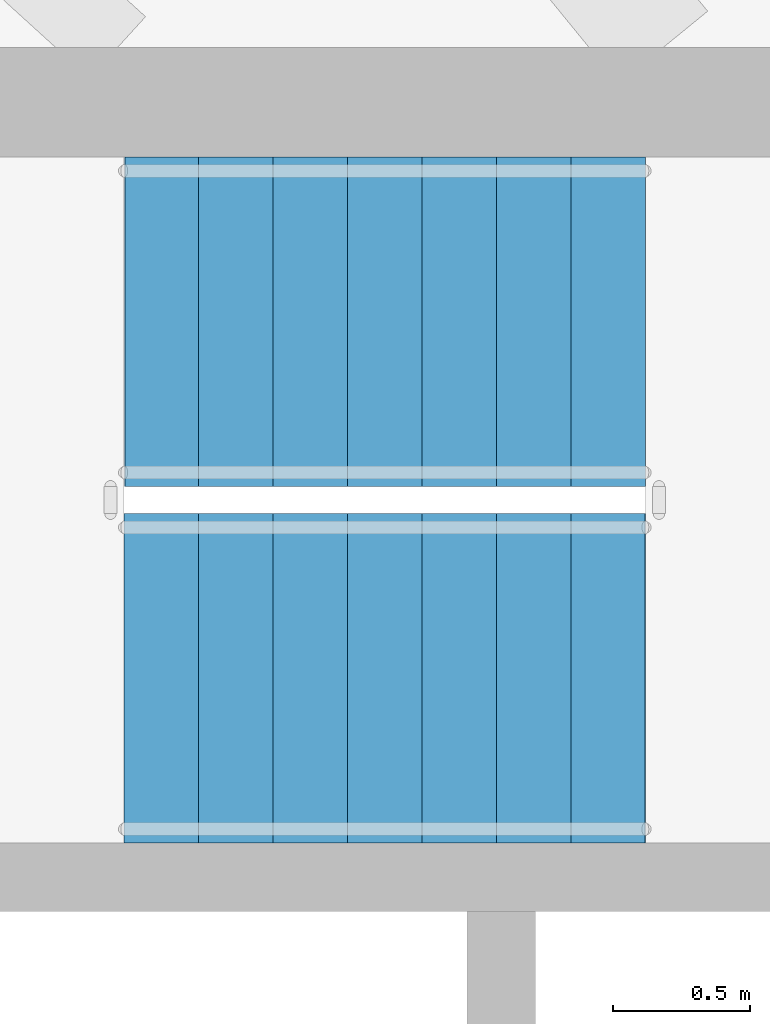
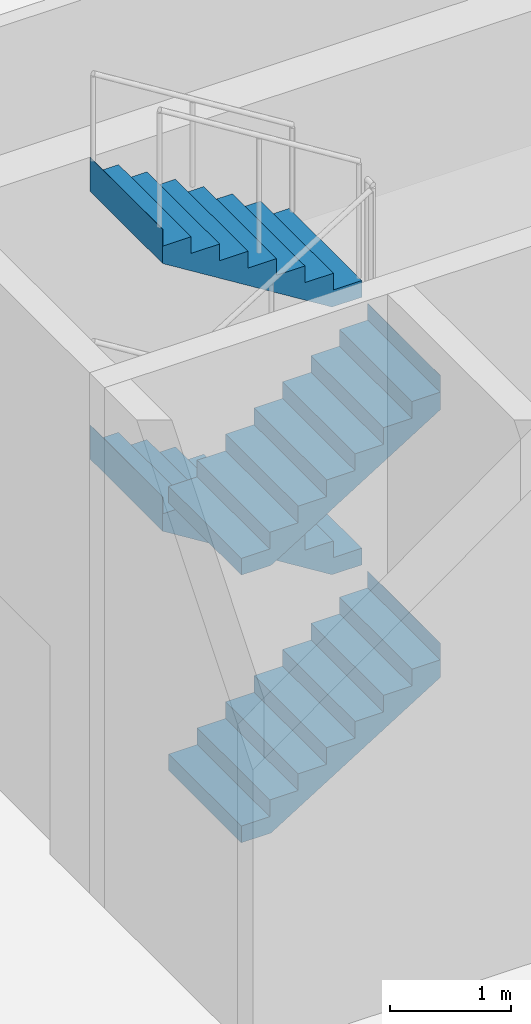
# One storey, part 8 of 16: 4 stair flights, 1 element without a shape of its own.
"""IFC4 building model written with IfcOpenShell, lengths in metres."""

from ifc_helpers import new_model, si_unit, direction, frame, origin, place, context, subcontext, project, spatial, triangles, material, type_object, element, aggregate, save


model = new_model("IFC4")

# Units and contexts
model_context = context("Model", 3, precision=1e-05, world=origin(), true_north=direction((0.0, 1.0)))
body_context = subcontext(model_context, "Body", "Model", "MODEL_VIEW")
ifc_project = project(units=[si_unit("LENGTHUNIT", "METRE"), si_unit("AREAUNIT", "SQUARE_METRE"), si_unit("VOLUMEUNIT", "CUBIC_METRE"), si_unit("PLANEANGLEUNIT", "RADIAN"), si_unit("MASSUNIT", "GRAM", prefix="KILO")], contexts=[model_context])

# Site, building, storey
site_placement = place(None, origin())
site = spatial("IfcSite", under=ifc_project, at=site_placement, CompositionType="ELEMENT")
building_placement = place(site_placement, origin())
building = spatial("IfcBuilding", under=site, at=building_placement, Name="Sahrelin Media Tower", CompositionType="ELEMENT")
storey_placement = place(building_placement, frame((0.0, 0.0, 299.0)))
storey = spatial("IfcBuildingStorey", under=building, at=storey_placement, Name="L66", CompositionType="ELEMENT", Elevation=299.0)

# Stair, stair flights
ifc_material = material(Name="Concrete C40/50", Category="concrete")
stair_type = type_object("IfcStairType", Name="Exit stair 1200", PredefinedType="HALF_TURN_STAIR", material=ifc_material)
stair_placement = place(storey_placement, origin())
stair = element("IfcStair", 1, at=stair_placement, inside=storey, type_object=stair_type, Name="L66 Exit stair ST1", PredefinedType="HALF_TURN_STAIR")
stair_flight_type = type_object("IfcStairFlightType", Name="Stair flight 1200", PredefinedType="STRAIGHT", material=ifc_material)
stair_flight_1_placement = place(storey_placement, frame((-7.675048828125, 4.699951171875, 0.0), z_axis=(0.0, 0.0, 1.0), x_axis=(1.0, 0.0, 0.0)))
stair_flight_1 = element("IfcStairFlight", 2, at=stair_flight_1_placement, type_object=stair_flight_type, Name="ST1 flight 1", NumberOfRisers=8, NumberOfTreads=7, PredefinedType="STRAIGHT", RiserHeight=0.16875, TreadLength=0.271428571, context=body_context, shape_type="Tessellation", body=[
    triangles([(0.283935546875, 0.60009765625, 0.0), (0.283935546875, 0.300048828125, 0.0), (0.283935546875, 0.0, 0.0), (0.283935546875, -0.300048828125, 0.0), (0.283935546875, -0.60009765625, 0.0), (1.89990234375, 0.60009765625, 1.004638671875), (1.89990234375, 0.300048828125, 1.004638671875), (1.89990234375, 0.0, 1.004638671875), (1.89990234375, -0.300048828125, 1.004638671875), (1.89990234375, -0.60009765625, 1.004638671875), (1.89990234375, 0.60009765625, 1.35009765625), (1.89990234375, 0.300048828125, 1.35009765625), (1.89990234375, 0.0, 1.35009765625), (1.89990234375, -0.300048828125, 1.35009765625), (1.89990234375, -0.60009765625, 1.35009765625), (1.89794921875, 0.60009765625, 1.35009765625), (1.89794921875, 0.300048828125, 1.35009765625), (1.89794921875, 0.0, 1.35009765625), (1.89794921875, -0.300048828125, 1.35009765625), (1.89794921875, -0.60009765625, 1.35009765625), (1.89794921875, 0.60009765625, 1.18115234375), (1.89794921875, 0.300048828125, 1.18115234375), (1.89794921875, 0.0, 1.18115234375), (1.89794921875, -0.300048828125, 1.18115234375), (1.89794921875, -0.60009765625, 1.18115234375), (1.628662109375, 0.60009765625, 1.18115234375), (1.628662109375, 0.300048828125, 1.18115234375), (1.628662109375, 0.0, 1.18115234375), (1.628662109375, -0.300048828125, 1.18115234375), (1.628662109375, -0.60009765625, 1.18115234375), (1.628662109375, 0.60009765625, 1.012451171875), (1.628662109375, 0.300048828125, 1.012451171875), (1.628662109375, 0.0, 1.012451171875), (1.628662109375, -0.300048828125, 1.012451171875), (1.628662109375, -0.60009765625, 1.012451171875), (1.357177734375, 0.60009765625, 1.012451171875), (1.357177734375, 0.300048828125, 1.012451171875), (1.357177734375, 0.0, 1.012451171875), (1.357177734375, -0.300048828125, 1.012451171875), (1.357177734375, -0.60009765625, 1.012451171875), (1.357177734375, 0.60009765625, 0.84375), (1.357177734375, 0.300048828125, 0.84375), (1.357177734375, 0.0, 0.84375), (1.357177734375, -0.300048828125, 0.84375), (1.357177734375, -0.60009765625, 0.84375), (1.085693359375, 0.60009765625, 0.84375), (1.085693359375, 0.300048828125, 0.84375), (1.085693359375, 0.0, 0.84375), (1.085693359375, -0.300048828125, 0.84375), (1.085693359375, -0.60009765625, 0.84375), (1.085693359375, 0.60009765625, 0.675048828125), (1.085693359375, 0.300048828125, 0.675048828125), (1.085693359375, 0.0, 0.675048828125), (1.085693359375, -0.300048828125, 0.675048828125), (1.085693359375, -0.60009765625, 0.675048828125), (0.814208984375, 0.60009765625, 0.675048828125), (0.814208984375, 0.300048828125, 0.675048828125), (0.814208984375, 0.0, 0.675048828125), (0.814208984375, -0.300048828125, 0.675048828125), (0.814208984375, -0.60009765625, 0.675048828125), (0.814208984375, 0.60009765625, 0.50634765625), (0.814208984375, 0.300048828125, 0.50634765625), (0.814208984375, 0.0, 0.50634765625), (0.814208984375, -0.300048828125, 0.50634765625), (0.814208984375, -0.60009765625, 0.50634765625), (0.54296875, 0.60009765625, 0.50634765625), (0.54296875, 0.300048828125, 0.50634765625), (0.54296875, 0.0, 0.50634765625), (0.54296875, -0.300048828125, 0.50634765625), (0.54296875, -0.60009765625, 0.50634765625), (0.54296875, 0.60009765625, 0.33740234375), (0.54296875, 0.300048828125, 0.33740234375), (0.54296875, 0.0, 0.33740234375), (0.54296875, -0.300048828125, 0.33740234375), (0.54296875, -0.60009765625, 0.33740234375), (0.271484375, 0.60009765625, 0.33740234375), (0.271484375, 0.300048828125, 0.33740234375), (0.271484375, 0.0, 0.33740234375), (0.271484375, -0.300048828125, 0.33740234375), (0.271484375, -0.60009765625, 0.33740234375), (0.271484375, 0.60009765625, 0.168701171875), (0.271484375, 0.300048828125, 0.168701171875), (0.271484375, 0.0, 0.168701171875), (0.271484375, -0.300048828125, 0.168701171875), (0.271484375, -0.60009765625, 0.168701171875), (0.0, 0.60009765625, 0.168701171875), (0.0, 0.300048828125, 0.168701171875), (0.0, 0.0, 0.168701171875), (0.0, -0.300048828125, 0.168701171875), (0.0, -0.60009765625, 0.168701171875), (0.0, 0.60009765625, 0.0), (0.0, 0.300048828125, 0.0), (0.0, 0.0, 0.0), (0.0, -0.300048828125, 0.0), (0.0, -0.60009765625, 0.0)], [[1, 6, 7], [1, 7, 2], [2, 7, 8], [2, 8, 3], [3, 8, 9], [3, 9, 4], [4, 9, 10], [4, 10, 5], [6, 11, 12], [6, 12, 7], [7, 12, 13], [7, 13, 8], [8, 13, 14], [8, 14, 9], [9, 14, 15], [9, 15, 10], [11, 16, 17], [11, 17, 12], [12, 17, 18], [12, 18, 13], [13, 18, 19], [13, 19, 14], [14, 19, 20], [14, 20, 15], [16, 21, 22], [16, 22, 17], [17, 22, 23], [17, 23, 18], [18, 23, 24], [18, 24, 19], [19, 24, 25], [19, 25, 20], [21, 26, 27], [21, 27, 22], [22, 27, 28], [22, 28, 23], [23, 28, 29], [23, 29, 24], [24, 29, 30], [24, 30, 25], [26, 31, 32], [26, 32, 27], [27, 32, 33], [27, 33, 28], [28, 33, 34], [28, 34, 29], [29, 34, 35], [29, 35, 30], [31, 36, 37], [31, 37, 32], [32, 37, 38], [32, 38, 33], [33, 38, 39], [33, 39, 34], [34, 39, 40], [34, 40, 35], [36, 41, 42], [36, 42, 37], [37, 42, 43], [37, 43, 38], [38, 43, 44], [38, 44, 39], [39, 44, 45], [39, 45, 40], [41, 46, 47], [41, 47, 42], [42, 47, 48], [42, 48, 43], [43, 48, 49], [43, 49, 44], [44, 49, 50], [44, 50, 45], [46, 51, 52], [46, 52, 47], [47, 52, 53], [47, 53, 48], [48, 53, 54], [48, 54, 49], [49, 54, 55], [49, 55, 50], [51, 56, 57], [51, 57, 52], [52, 57, 58], [52, 58, 53], [53, 58, 59], [53, 59, 54], [54, 59, 60], [54, 60, 55], [56, 61, 62], [56, 62, 57], [57, 62, 63], [57, 63, 58], [58, 63, 64], [58, 64, 59], [59, 64, 65], [59, 65, 60], [61, 66, 67], [61, 67, 62], [62, 67, 68], [62, 68, 63], [63, 68, 69], [63, 69, 64], [64, 69, 70], [64, 70, 65], [66, 71, 72], [66, 72, 67], [67, 72, 73], [67, 73, 68], [68, 73, 74], [68, 74, 69], [69, 74, 75], [69, 75, 70], [71, 76, 77], [71, 77, 72], [72, 77, 78], [72, 78, 73], [73, 78, 79], [73, 79, 74], [74, 79, 80], [74, 80, 75], [76, 81, 82], [76, 82, 77], [77, 82, 83], [77, 83, 78], [78, 83, 84], [78, 84, 79], [79, 84, 85], [79, 85, 80], [81, 86, 87], [81, 87, 82], [82, 87, 88], [82, 88, 83], [83, 88, 89], [83, 89, 84], [84, 89, 90], [84, 90, 85], [86, 91, 92], [86, 92, 87], [87, 92, 93], [87, 93, 88], [88, 93, 94], [88, 94, 89], [89, 94, 95], [89, 95, 90], [91, 1, 2], [91, 2, 92], [92, 2, 3], [92, 3, 93], [93, 3, 4], [93, 4, 94], [94, 4, 5], [94, 5, 95], [85, 90, 95], [81, 91, 86], [85, 75, 80], [81, 76, 71], [75, 65, 70], [71, 66, 61], [65, 55, 60], [61, 56, 51], [55, 45, 50], [51, 46, 41], [45, 35, 40], [41, 36, 31], [35, 25, 30], [31, 26, 21], [25, 15, 20], [21, 16, 11], [95, 5, 85], [91, 81, 1], [5, 55, 65], [1, 61, 51], [25, 10, 15], [21, 11, 6], [75, 85, 5], [71, 1, 81], [10, 45, 55], [6, 51, 41], [35, 10, 25], [31, 21, 6], [65, 75, 5], [61, 1, 71], [45, 10, 35], [41, 31, 6], [5, 10, 55], [1, 51, 6]], closed=True),
])
stair_flight_2_placement = place(storey_placement, frame((-5.77490234375, 6.0, 1.35009765625), z_axis=(0.0, 0.0, 1.0), x_axis=(-1.0, 0.0, 0.0)))
stair_flight_2 = element("IfcStairFlight", 3, at=stair_flight_2_placement, type_object=stair_flight_type, Name="ST1 flight 2", NumberOfRisers=8, NumberOfTreads=7, PredefinedType="STRAIGHT", RiserHeight=0.16875, TreadLength=0.271428571, context=body_context, shape_type="Tessellation", body=[
    triangles([(0.283935546875, 0.60009765625, 0.0), (0.283935546875, 0.300048828125, 0.0), (0.283935546875, 0.0, 0.0), (0.283935546875, -0.300048828125, 0.0), (0.283935546875, -0.60009765625, 0.0), (1.89990234375, 0.60009765625, 1.004638671875), (1.89990234375, 0.300048828125, 1.004638671875), (1.89990234375, 0.0, 1.004638671875), (1.89990234375, -0.300048828125, 1.004638671875), (1.89990234375, -0.60009765625, 1.004638671875), (1.89990234375, 0.60009765625, 1.35009765625), (1.89990234375, 0.300048828125, 1.35009765625), (1.89990234375, 0.0, 1.35009765625), (1.89990234375, -0.300048828125, 1.35009765625), (1.89990234375, -0.60009765625, 1.35009765625), (1.89794921875, 0.60009765625, 1.35009765625), (1.89794921875, 0.300048828125, 1.35009765625), (1.89794921875, 0.0, 1.35009765625), (1.89794921875, -0.300048828125, 1.35009765625), (1.89794921875, -0.60009765625, 1.35009765625), (1.89794921875, 0.60009765625, 1.18115234375), (1.89794921875, 0.300048828125, 1.18115234375), (1.89794921875, 0.0, 1.18115234375), (1.89794921875, -0.300048828125, 1.18115234375), (1.89794921875, -0.60009765625, 1.18115234375), (1.628662109375, 0.60009765625, 1.18115234375), (1.628662109375, 0.300048828125, 1.18115234375), (1.628662109375, 0.0, 1.18115234375), (1.628662109375, -0.300048828125, 1.18115234375), (1.628662109375, -0.60009765625, 1.18115234375), (1.628662109375, 0.60009765625, 1.012451171875), (1.628662109375, 0.300048828125, 1.012451171875), (1.628662109375, 0.0, 1.012451171875), (1.628662109375, -0.300048828125, 1.012451171875), (1.628662109375, -0.60009765625, 1.012451171875), (1.357177734375, 0.60009765625, 1.012451171875), (1.357177734375, 0.300048828125, 1.012451171875), (1.357177734375, 0.0, 1.012451171875), (1.357177734375, -0.300048828125, 1.012451171875), (1.357177734375, -0.60009765625, 1.012451171875), (1.357177734375, 0.60009765625, 0.84375), (1.357177734375, 0.300048828125, 0.84375), (1.357177734375, 0.0, 0.84375), (1.357177734375, -0.300048828125, 0.84375), (1.357177734375, -0.60009765625, 0.84375), (1.085693359375, 0.60009765625, 0.84375), (1.085693359375, 0.300048828125, 0.84375), (1.085693359375, 0.0, 0.84375), (1.085693359375, -0.300048828125, 0.84375), (1.085693359375, -0.60009765625, 0.84375), (1.085693359375, 0.60009765625, 0.675048828125), (1.085693359375, 0.300048828125, 0.675048828125), (1.085693359375, 0.0, 0.675048828125), (1.085693359375, -0.300048828125, 0.675048828125), (1.085693359375, -0.60009765625, 0.675048828125), (0.814208984375, 0.60009765625, 0.675048828125), (0.814208984375, 0.300048828125, 0.675048828125), (0.814208984375, 0.0, 0.675048828125), (0.814208984375, -0.300048828125, 0.675048828125), (0.814208984375, -0.60009765625, 0.675048828125), (0.814208984375, 0.60009765625, 0.50634765625), (0.814208984375, 0.300048828125, 0.50634765625), (0.814208984375, 0.0, 0.50634765625), (0.814208984375, -0.300048828125, 0.50634765625), (0.814208984375, -0.60009765625, 0.50634765625), (0.54296875, 0.60009765625, 0.50634765625), (0.54296875, 0.300048828125, 0.50634765625), (0.54296875, 0.0, 0.50634765625), (0.54296875, -0.300048828125, 0.50634765625), (0.54296875, -0.60009765625, 0.50634765625), (0.54296875, 0.60009765625, 0.33740234375), (0.54296875, 0.300048828125, 0.33740234375), (0.54296875, 0.0, 0.33740234375), (0.54296875, -0.300048828125, 0.33740234375), (0.54296875, -0.60009765625, 0.33740234375), (0.271484375, 0.60009765625, 0.33740234375), (0.271484375, 0.300048828125, 0.33740234375), (0.271484375, 0.0, 0.33740234375), (0.271484375, -0.300048828125, 0.33740234375), (0.271484375, -0.60009765625, 0.33740234375), (0.271484375, 0.60009765625, 0.168701171875), (0.271484375, 0.300048828125, 0.168701171875), (0.271484375, 0.0, 0.168701171875), (0.271484375, -0.300048828125, 0.168701171875), (0.271484375, -0.60009765625, 0.168701171875), (0.0, 0.60009765625, 0.168701171875), (0.0, 0.300048828125, 0.168701171875), (0.0, 0.0, 0.168701171875), (0.0, -0.300048828125, 0.168701171875), (0.0, -0.60009765625, 0.168701171875), (0.0, 0.60009765625, 0.0), (0.0, 0.300048828125, 0.0), (0.0, 0.0, 0.0), (0.0, -0.300048828125, 0.0), (0.0, -0.60009765625, 0.0)], [[1, 6, 7], [1, 7, 2], [2, 7, 8], [2, 8, 3], [3, 8, 9], [3, 9, 4], [4, 9, 10], [4, 10, 5], [6, 11, 12], [6, 12, 7], [7, 12, 13], [7, 13, 8], [8, 13, 14], [8, 14, 9], [9, 14, 15], [9, 15, 10], [11, 16, 17], [11, 17, 12], [12, 17, 18], [12, 18, 13], [13, 18, 19], [13, 19, 14], [14, 19, 20], [14, 20, 15], [16, 21, 22], [16, 22, 17], [17, 22, 23], [17, 23, 18], [18, 23, 24], [18, 24, 19], [19, 24, 25], [19, 25, 20], [21, 26, 27], [21, 27, 22], [22, 27, 28], [22, 28, 23], [23, 28, 29], [23, 29, 24], [24, 29, 30], [24, 30, 25], [26, 31, 32], [26, 32, 27], [27, 32, 33], [27, 33, 28], [28, 33, 34], [28, 34, 29], [29, 34, 35], [29, 35, 30], [31, 36, 37], [31, 37, 32], [32, 37, 38], [32, 38, 33], [33, 38, 39], [33, 39, 34], [34, 39, 40], [34, 40, 35], [36, 41, 42], [36, 42, 37], [37, 42, 43], [37, 43, 38], [38, 43, 44], [38, 44, 39], [39, 44, 45], [39, 45, 40], [41, 46, 47], [41, 47, 42], [42, 47, 48], [42, 48, 43], [43, 48, 49], [43, 49, 44], [44, 49, 50], [44, 50, 45], [46, 51, 52], [46, 52, 47], [47, 52, 53], [47, 53, 48], [48, 53, 54], [48, 54, 49], [49, 54, 55], [49, 55, 50], [51, 56, 57], [51, 57, 52], [52, 57, 58], [52, 58, 53], [53, 58, 59], [53, 59, 54], [54, 59, 60], [54, 60, 55], [56, 61, 62], [56, 62, 57], [57, 62, 63], [57, 63, 58], [58, 63, 64], [58, 64, 59], [59, 64, 65], [59, 65, 60], [61, 66, 67], [61, 67, 62], [62, 67, 68], [62, 68, 63], [63, 68, 69], [63, 69, 64], [64, 69, 70], [64, 70, 65], [66, 71, 72], [66, 72, 67], [67, 72, 73], [67, 73, 68], [68, 73, 74], [68, 74, 69], [69, 74, 75], [69, 75, 70], [71, 76, 77], [71, 77, 72], [72, 77, 78], [72, 78, 73], [73, 78, 79], [73, 79, 74], [74, 79, 80], [74, 80, 75], [76, 81, 82], [76, 82, 77], [77, 82, 83], [77, 83, 78], [78, 83, 84], [78, 84, 79], [79, 84, 85], [79, 85, 80], [81, 86, 87], [81, 87, 82], [82, 87, 88], [82, 88, 83], [83, 88, 89], [83, 89, 84], [84, 89, 90], [84, 90, 85], [86, 91, 92], [86, 92, 87], [87, 92, 93], [87, 93, 88], [88, 93, 94], [88, 94, 89], [89, 94, 95], [89, 95, 90], [91, 1, 2], [91, 2, 92], [92, 2, 3], [92, 3, 93], [93, 3, 4], [93, 4, 94], [94, 4, 5], [94, 5, 95], [85, 90, 95], [81, 91, 86], [85, 75, 80], [81, 76, 71], [75, 65, 70], [71, 66, 61], [65, 55, 60], [61, 56, 51], [55, 45, 50], [51, 46, 41], [45, 35, 40], [41, 36, 31], [35, 25, 30], [31, 26, 21], [25, 15, 20], [21, 16, 11], [95, 5, 85], [91, 81, 1], [5, 55, 65], [1, 61, 51], [25, 10, 15], [21, 11, 6], [75, 85, 5], [71, 1, 81], [10, 45, 55], [6, 51, 41], [35, 10, 25], [31, 21, 6], [65, 75, 5], [61, 1, 71], [45, 10, 35], [41, 31, 6], [5, 10, 55], [1, 51, 6]], closed=True),
])
stair_flight_3_placement = place(storey_placement, frame((-7.675048828125, 4.699951171875, 2.699951171875), z_axis=(0.0, 0.0, 1.0), x_axis=(1.0, 0.0, 0.0)))
stair_flight_3 = element("IfcStairFlight", 4, at=stair_flight_3_placement, type_object=stair_flight_type, Name="ST1 flight 3", NumberOfRisers=8, NumberOfTreads=7, PredefinedType="STRAIGHT", RiserHeight=0.16875, TreadLength=0.271428571, context=body_context, shape_type="Tessellation", body=[
    triangles([(0.283935546875, 0.60009765625, 0.0), (0.283935546875, 0.300048828125, 0.0), (0.283935546875, 0.0, 0.0), (0.283935546875, -0.300048828125, 0.0), (0.283935546875, -0.60009765625, 0.0), (1.89990234375, 0.60009765625, 1.004638671875), (1.89990234375, 0.300048828125, 1.004638671875), (1.89990234375, 0.0, 1.004638671875), (1.89990234375, -0.300048828125, 1.004638671875), (1.89990234375, -0.60009765625, 1.004638671875), (1.89990234375, 0.60009765625, 1.35009765625), (1.89990234375, 0.300048828125, 1.35009765625), (1.89990234375, 0.0, 1.35009765625), (1.89990234375, -0.300048828125, 1.35009765625), (1.89990234375, -0.60009765625, 1.35009765625), (1.89794921875, 0.60009765625, 1.35009765625), (1.89794921875, 0.300048828125, 1.35009765625), (1.89794921875, 0.0, 1.35009765625), (1.89794921875, -0.300048828125, 1.35009765625), (1.89794921875, -0.60009765625, 1.35009765625), (1.89794921875, 0.60009765625, 1.18115234375), (1.89794921875, 0.300048828125, 1.18115234375), (1.89794921875, 0.0, 1.18115234375), (1.89794921875, -0.300048828125, 1.18115234375), (1.89794921875, -0.60009765625, 1.18115234375), (1.628662109375, 0.60009765625, 1.18115234375), (1.628662109375, 0.300048828125, 1.18115234375), (1.628662109375, 0.0, 1.18115234375), (1.628662109375, -0.300048828125, 1.18115234375), (1.628662109375, -0.60009765625, 1.18115234375), (1.628662109375, 0.60009765625, 1.012451171875), (1.628662109375, 0.300048828125, 1.012451171875), (1.628662109375, 0.0, 1.012451171875), (1.628662109375, -0.300048828125, 1.012451171875), (1.628662109375, -0.60009765625, 1.012451171875), (1.357177734375, 0.60009765625, 1.012451171875), (1.357177734375, 0.300048828125, 1.012451171875), (1.357177734375, 0.0, 1.012451171875), (1.357177734375, -0.300048828125, 1.012451171875), (1.357177734375, -0.60009765625, 1.012451171875), (1.357177734375, 0.60009765625, 0.84375), (1.357177734375, 0.300048828125, 0.84375), (1.357177734375, 0.0, 0.84375), (1.357177734375, -0.300048828125, 0.84375), (1.357177734375, -0.60009765625, 0.84375), (1.085693359375, 0.60009765625, 0.84375), (1.085693359375, 0.300048828125, 0.84375), (1.085693359375, 0.0, 0.84375), (1.085693359375, -0.300048828125, 0.84375), (1.085693359375, -0.60009765625, 0.84375), (1.085693359375, 0.60009765625, 0.675048828125), (1.085693359375, 0.300048828125, 0.675048828125), (1.085693359375, 0.0, 0.675048828125), (1.085693359375, -0.300048828125, 0.675048828125), (1.085693359375, -0.60009765625, 0.675048828125), (0.814208984375, 0.60009765625, 0.675048828125), (0.814208984375, 0.300048828125, 0.675048828125), (0.814208984375, 0.0, 0.675048828125), (0.814208984375, -0.300048828125, 0.675048828125), (0.814208984375, -0.60009765625, 0.675048828125), (0.814208984375, 0.60009765625, 0.50634765625), (0.814208984375, 0.300048828125, 0.50634765625), (0.814208984375, 0.0, 0.50634765625), (0.814208984375, -0.300048828125, 0.50634765625), (0.814208984375, -0.60009765625, 0.50634765625), (0.54296875, 0.60009765625, 0.50634765625), (0.54296875, 0.300048828125, 0.50634765625), (0.54296875, 0.0, 0.50634765625), (0.54296875, -0.300048828125, 0.50634765625), (0.54296875, -0.60009765625, 0.50634765625), (0.54296875, 0.60009765625, 0.33740234375), (0.54296875, 0.300048828125, 0.33740234375), (0.54296875, 0.0, 0.33740234375), (0.54296875, -0.300048828125, 0.33740234375), (0.54296875, -0.60009765625, 0.33740234375), (0.271484375, 0.60009765625, 0.33740234375), (0.271484375, 0.300048828125, 0.33740234375), (0.271484375, 0.0, 0.33740234375), (0.271484375, -0.300048828125, 0.33740234375), (0.271484375, -0.60009765625, 0.33740234375), (0.271484375, 0.60009765625, 0.168701171875), (0.271484375, 0.300048828125, 0.168701171875), (0.271484375, 0.0, 0.168701171875), (0.271484375, -0.300048828125, 0.168701171875), (0.271484375, -0.60009765625, 0.168701171875), (0.0, 0.60009765625, 0.168701171875), (0.0, 0.300048828125, 0.168701171875), (0.0, 0.0, 0.168701171875), (0.0, -0.300048828125, 0.168701171875), (0.0, -0.60009765625, 0.168701171875), (0.0, 0.60009765625, 0.0), (0.0, 0.300048828125, 0.0), (0.0, 0.0, 0.0), (0.0, -0.300048828125, 0.0), (0.0, -0.60009765625, 0.0)], [[1, 6, 7], [1, 7, 2], [2, 7, 8], [2, 8, 3], [3, 8, 9], [3, 9, 4], [4, 9, 10], [4, 10, 5], [6, 11, 12], [6, 12, 7], [7, 12, 13], [7, 13, 8], [8, 13, 14], [8, 14, 9], [9, 14, 15], [9, 15, 10], [11, 16, 17], [11, 17, 12], [12, 17, 18], [12, 18, 13], [13, 18, 19], [13, 19, 14], [14, 19, 20], [14, 20, 15], [16, 21, 22], [16, 22, 17], [17, 22, 23], [17, 23, 18], [18, 23, 24], [18, 24, 19], [19, 24, 25], [19, 25, 20], [21, 26, 27], [21, 27, 22], [22, 27, 28], [22, 28, 23], [23, 28, 29], [23, 29, 24], [24, 29, 30], [24, 30, 25], [26, 31, 32], [26, 32, 27], [27, 32, 33], [27, 33, 28], [28, 33, 34], [28, 34, 29], [29, 34, 35], [29, 35, 30], [31, 36, 37], [31, 37, 32], [32, 37, 38], [32, 38, 33], [33, 38, 39], [33, 39, 34], [34, 39, 40], [34, 40, 35], [36, 41, 42], [36, 42, 37], [37, 42, 43], [37, 43, 38], [38, 43, 44], [38, 44, 39], [39, 44, 45], [39, 45, 40], [41, 46, 47], [41, 47, 42], [42, 47, 48], [42, 48, 43], [43, 48, 49], [43, 49, 44], [44, 49, 50], [44, 50, 45], [46, 51, 52], [46, 52, 47], [47, 52, 53], [47, 53, 48], [48, 53, 54], [48, 54, 49], [49, 54, 55], [49, 55, 50], [51, 56, 57], [51, 57, 52], [52, 57, 58], [52, 58, 53], [53, 58, 59], [53, 59, 54], [54, 59, 60], [54, 60, 55], [56, 61, 62], [56, 62, 57], [57, 62, 63], [57, 63, 58], [58, 63, 64], [58, 64, 59], [59, 64, 65], [59, 65, 60], [61, 66, 67], [61, 67, 62], [62, 67, 68], [62, 68, 63], [63, 68, 69], [63, 69, 64], [64, 69, 70], [64, 70, 65], [66, 71, 72], [66, 72, 67], [67, 72, 73], [67, 73, 68], [68, 73, 74], [68, 74, 69], [69, 74, 75], [69, 75, 70], [71, 76, 77], [71, 77, 72], [72, 77, 78], [72, 78, 73], [73, 78, 79], [73, 79, 74], [74, 79, 80], [74, 80, 75], [76, 81, 82], [76, 82, 77], [77, 82, 83], [77, 83, 78], [78, 83, 84], [78, 84, 79], [79, 84, 85], [79, 85, 80], [81, 86, 87], [81, 87, 82], [82, 87, 88], [82, 88, 83], [83, 88, 89], [83, 89, 84], [84, 89, 90], [84, 90, 85], [86, 91, 92], [86, 92, 87], [87, 92, 93], [87, 93, 88], [88, 93, 94], [88, 94, 89], [89, 94, 95], [89, 95, 90], [91, 1, 2], [91, 2, 92], [92, 2, 3], [92, 3, 93], [93, 3, 4], [93, 4, 94], [94, 4, 5], [94, 5, 95], [85, 90, 95], [81, 91, 86], [85, 75, 80], [81, 76, 71], [75, 65, 70], [71, 66, 61], [65, 55, 60], [61, 56, 51], [55, 45, 50], [51, 46, 41], [45, 35, 40], [41, 36, 31], [35, 25, 30], [31, 26, 21], [25, 15, 20], [21, 16, 11], [95, 5, 85], [91, 81, 1], [5, 55, 65], [1, 61, 51], [25, 10, 15], [21, 11, 6], [75, 85, 5], [71, 1, 81], [10, 45, 55], [6, 51, 41], [35, 10, 25], [31, 21, 6], [65, 75, 5], [61, 1, 71], [45, 10, 35], [41, 31, 6], [5, 10, 55], [1, 51, 6]], closed=True),
])
stair_flight_4_placement = place(storey_placement, frame((-5.77490234375, 6.0, 4.050048828125), z_axis=(0.0, 0.0, 1.0), x_axis=(-1.0, 0.0, 0.0)))
stair_flight_4 = element("IfcStairFlight", 5, at=stair_flight_4_placement, type_object=stair_flight_type, Name="ST1 flight 4", NumberOfRisers=8, NumberOfTreads=7, PredefinedType="STRAIGHT", RiserHeight=0.16875, TreadLength=0.271428571, context=body_context, shape_type="Tessellation", body=[
    triangles([(0.283935546875, 0.60009765625, 0.0), (0.283935546875, 0.300048828125, 0.0), (0.283935546875, 0.0, 0.0), (0.283935546875, -0.300048828125, 0.0), (0.283935546875, -0.60009765625, 0.0), (1.89990234375, 0.60009765625, 1.004638671875), (1.89990234375, 0.300048828125, 1.004638671875), (1.89990234375, 0.0, 1.004638671875), (1.89990234375, -0.300048828125, 1.004638671875), (1.89990234375, -0.60009765625, 1.004638671875), (1.89990234375, 0.60009765625, 1.35009765625), (1.89990234375, 0.300048828125, 1.35009765625), (1.89990234375, 0.0, 1.35009765625), (1.89990234375, -0.300048828125, 1.35009765625), (1.89990234375, -0.60009765625, 1.35009765625), (1.89794921875, 0.60009765625, 1.35009765625), (1.89794921875, 0.300048828125, 1.35009765625), (1.89794921875, 0.0, 1.35009765625), (1.89794921875, -0.300048828125, 1.35009765625), (1.89794921875, -0.60009765625, 1.35009765625), (1.89794921875, 0.60009765625, 1.18115234375), (1.89794921875, 0.300048828125, 1.18115234375), (1.89794921875, 0.0, 1.18115234375), (1.89794921875, -0.300048828125, 1.18115234375), (1.89794921875, -0.60009765625, 1.18115234375), (1.628662109375, 0.60009765625, 1.18115234375), (1.628662109375, 0.300048828125, 1.18115234375), (1.628662109375, 0.0, 1.18115234375), (1.628662109375, -0.300048828125, 1.18115234375), (1.628662109375, -0.60009765625, 1.18115234375), (1.628662109375, 0.60009765625, 1.012451171875), (1.628662109375, 0.300048828125, 1.012451171875), (1.628662109375, 0.0, 1.012451171875), (1.628662109375, -0.300048828125, 1.012451171875), (1.628662109375, -0.60009765625, 1.012451171875), (1.357177734375, 0.60009765625, 1.012451171875), (1.357177734375, 0.300048828125, 1.012451171875), (1.357177734375, 0.0, 1.012451171875), (1.357177734375, -0.300048828125, 1.012451171875), (1.357177734375, -0.60009765625, 1.012451171875), (1.357177734375, 0.60009765625, 0.84375), (1.357177734375, 0.300048828125, 0.84375), (1.357177734375, 0.0, 0.84375), (1.357177734375, -0.300048828125, 0.84375), (1.357177734375, -0.60009765625, 0.84375), (1.085693359375, 0.60009765625, 0.84375), (1.085693359375, 0.300048828125, 0.84375), (1.085693359375, 0.0, 0.84375), (1.085693359375, -0.300048828125, 0.84375), (1.085693359375, -0.60009765625, 0.84375), (1.085693359375, 0.60009765625, 0.675048828125), (1.085693359375, 0.300048828125, 0.675048828125), (1.085693359375, 0.0, 0.675048828125), (1.085693359375, -0.300048828125, 0.675048828125), (1.085693359375, -0.60009765625, 0.675048828125), (0.814208984375, 0.60009765625, 0.675048828125), (0.814208984375, 0.300048828125, 0.675048828125), (0.814208984375, 0.0, 0.675048828125), (0.814208984375, -0.300048828125, 0.675048828125), (0.814208984375, -0.60009765625, 0.675048828125), (0.814208984375, 0.60009765625, 0.50634765625), (0.814208984375, 0.300048828125, 0.50634765625), (0.814208984375, 0.0, 0.50634765625), (0.814208984375, -0.300048828125, 0.50634765625), (0.814208984375, -0.60009765625, 0.50634765625), (0.54296875, 0.60009765625, 0.50634765625), (0.54296875, 0.300048828125, 0.50634765625), (0.54296875, 0.0, 0.50634765625), (0.54296875, -0.300048828125, 0.50634765625), (0.54296875, -0.60009765625, 0.50634765625), (0.54296875, 0.60009765625, 0.33740234375), (0.54296875, 0.300048828125, 0.33740234375), (0.54296875, 0.0, 0.33740234375), (0.54296875, -0.300048828125, 0.33740234375), (0.54296875, -0.60009765625, 0.33740234375), (0.271484375, 0.60009765625, 0.33740234375), (0.271484375, 0.300048828125, 0.33740234375), (0.271484375, 0.0, 0.33740234375), (0.271484375, -0.300048828125, 0.33740234375), (0.271484375, -0.60009765625, 0.33740234375), (0.271484375, 0.60009765625, 0.168701171875), (0.271484375, 0.300048828125, 0.168701171875), (0.271484375, 0.0, 0.168701171875), (0.271484375, -0.300048828125, 0.168701171875), (0.271484375, -0.60009765625, 0.168701171875), (0.0, 0.60009765625, 0.168701171875), (0.0, 0.300048828125, 0.168701171875), (0.0, 0.0, 0.168701171875), (0.0, -0.300048828125, 0.168701171875), (0.0, -0.60009765625, 0.168701171875), (0.0, 0.60009765625, 0.0), (0.0, 0.300048828125, 0.0), (0.0, 0.0, 0.0), (0.0, -0.300048828125, 0.0), (0.0, -0.60009765625, 0.0)], [[1, 6, 7], [1, 7, 2], [2, 7, 8], [2, 8, 3], [3, 8, 9], [3, 9, 4], [4, 9, 10], [4, 10, 5], [6, 11, 12], [6, 12, 7], [7, 12, 13], [7, 13, 8], [8, 13, 14], [8, 14, 9], [9, 14, 15], [9, 15, 10], [11, 16, 17], [11, 17, 12], [12, 17, 18], [12, 18, 13], [13, 18, 19], [13, 19, 14], [14, 19, 20], [14, 20, 15], [16, 21, 22], [16, 22, 17], [17, 22, 23], [17, 23, 18], [18, 23, 24], [18, 24, 19], [19, 24, 25], [19, 25, 20], [21, 26, 27], [21, 27, 22], [22, 27, 28], [22, 28, 23], [23, 28, 29], [23, 29, 24], [24, 29, 30], [24, 30, 25], [26, 31, 32], [26, 32, 27], [27, 32, 33], [27, 33, 28], [28, 33, 34], [28, 34, 29], [29, 34, 35], [29, 35, 30], [31, 36, 37], [31, 37, 32], [32, 37, 38], [32, 38, 33], [33, 38, 39], [33, 39, 34], [34, 39, 40], [34, 40, 35], [36, 41, 42], [36, 42, 37], [37, 42, 43], [37, 43, 38], [38, 43, 44], [38, 44, 39], [39, 44, 45], [39, 45, 40], [41, 46, 47], [41, 47, 42], [42, 47, 48], [42, 48, 43], [43, 48, 49], [43, 49, 44], [44, 49, 50], [44, 50, 45], [46, 51, 52], [46, 52, 47], [47, 52, 53], [47, 53, 48], [48, 53, 54], [48, 54, 49], [49, 54, 55], [49, 55, 50], [51, 56, 57], [51, 57, 52], [52, 57, 58], [52, 58, 53], [53, 58, 59], [53, 59, 54], [54, 59, 60], [54, 60, 55], [56, 61, 62], [56, 62, 57], [57, 62, 63], [57, 63, 58], [58, 63, 64], [58, 64, 59], [59, 64, 65], [59, 65, 60], [61, 66, 67], [61, 67, 62], [62, 67, 68], [62, 68, 63], [63, 68, 69], [63, 69, 64], [64, 69, 70], [64, 70, 65], [66, 71, 72], [66, 72, 67], [67, 72, 73], [67, 73, 68], [68, 73, 74], [68, 74, 69], [69, 74, 75], [69, 75, 70], [71, 76, 77], [71, 77, 72], [72, 77, 78], [72, 78, 73], [73, 78, 79], [73, 79, 74], [74, 79, 80], [74, 80, 75], [76, 81, 82], [76, 82, 77], [77, 82, 83], [77, 83, 78], [78, 83, 84], [78, 84, 79], [79, 84, 85], [79, 85, 80], [81, 86, 87], [81, 87, 82], [82, 87, 88], [82, 88, 83], [83, 88, 89], [83, 89, 84], [84, 89, 90], [84, 90, 85], [86, 91, 92], [86, 92, 87], [87, 92, 93], [87, 93, 88], [88, 93, 94], [88, 94, 89], [89, 94, 95], [89, 95, 90], [91, 1, 2], [91, 2, 92], [92, 2, 3], [92, 3, 93], [93, 3, 4], [93, 4, 94], [94, 4, 5], [94, 5, 95], [85, 90, 95], [81, 91, 86], [85, 75, 80], [81, 76, 71], [75, 65, 70], [71, 66, 61], [65, 55, 60], [61, 56, 51], [55, 45, 50], [51, 46, 41], [45, 35, 40], [41, 36, 31], [35, 25, 30], [31, 26, 21], [25, 15, 20], [21, 16, 11], [95, 5, 85], [91, 81, 1], [5, 55, 65], [1, 61, 51], [25, 10, 15], [21, 11, 6], [75, 85, 5], [71, 1, 81], [10, 45, 55], [6, 51, 41], [35, 10, 25], [31, 21, 6], [65, 75, 5], [61, 1, 71], [45, 10, 35], [41, 31, 6], [5, 10, 55], [1, 51, 6]], closed=True),
])
aggregate(stair, [stair_flight_1, stair_flight_2, stair_flight_3, stair_flight_4])

save(model, "model.ifc")
